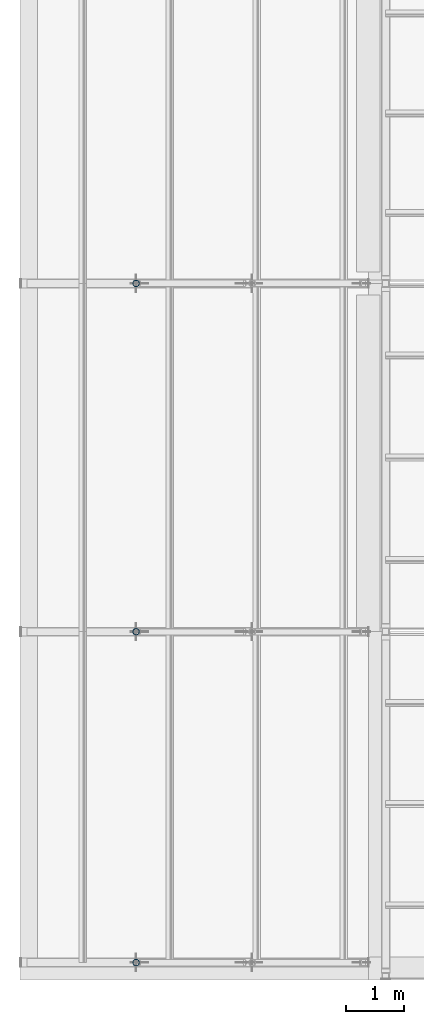
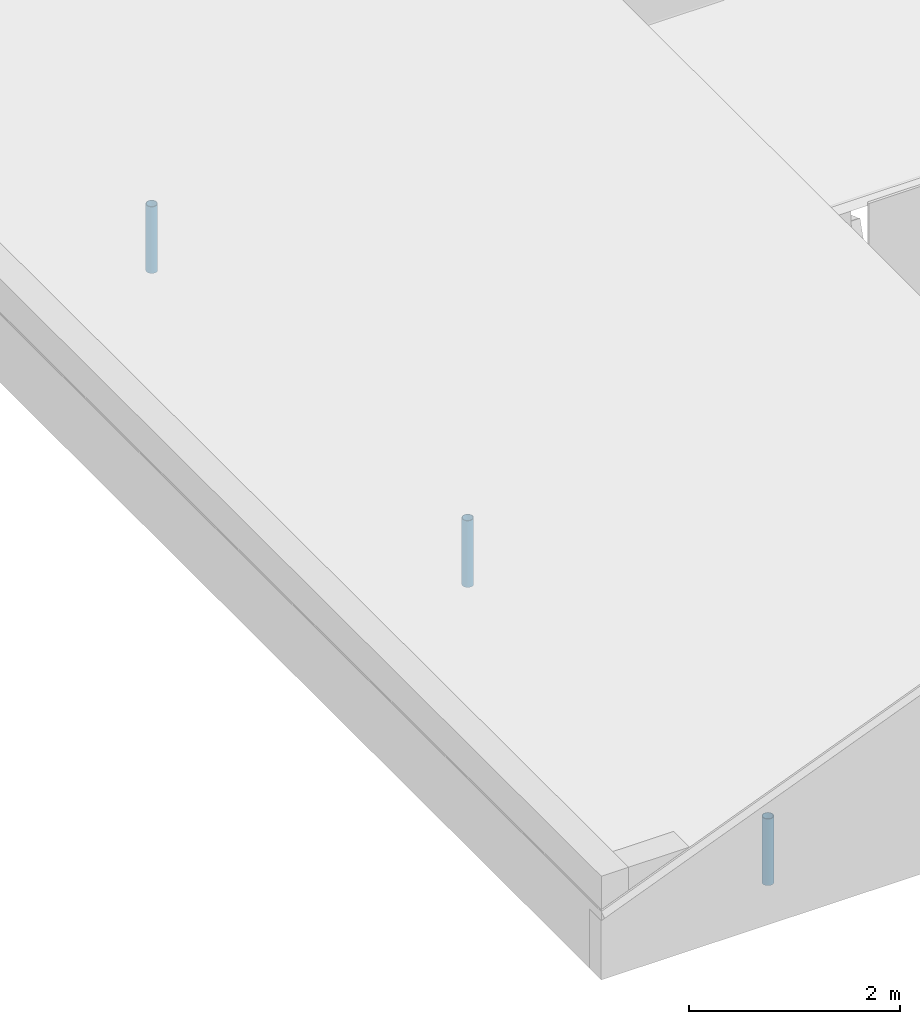
# One storey, part 48 of 118: 3 members.
"""IFC4 building model written with IfcOpenShell, lengths in metres."""

from ifc_helpers import new_model, si_unit, direction, frame, origin, origin_2d, place, context, subcontext, project, spatial, hollow_circle, extrude, material, material_profile, profile_set, type_object, element, save


model = new_model("IFC4")

# Units and contexts
model_context = context("Model", 3, precision=1e-05, world=origin(), true_north=direction((0.0, 1.0)))
body_context = subcontext(model_context, "Body", "Model", "MODEL_VIEW")
ifc_project = project(units=[si_unit("LENGTHUNIT", "METRE"), si_unit("AREAUNIT", "SQUARE_METRE"), si_unit("VOLUMEUNIT", "CUBIC_METRE"), si_unit("PLANEANGLEUNIT", "RADIAN"), si_unit("MASSUNIT", "GRAM", prefix="KILO")], contexts=[model_context])

# Site, building, storey
site_placement = place(None, origin())
site = spatial("IfcSite", under=ifc_project, at=site_placement, CompositionType="ELEMENT")
building_placement = place(site_placement, origin())
building = spatial("IfcBuilding", under=site, at=building_placement, Name="Saffron Lane Theatres", CompositionType="ELEMENT")
storey_placement = place(building_placement, frame((0.0, 0.0, 16.5)))
storey = spatial("IfcBuildingStorey", under=building, at=storey_placement, Name="L03", CompositionType="ELEMENT", Elevation=16.5)

# Members
ifc_material = material(Name="Steel Grade 350", Category="steel")
ifc_material_profile = material_profile(ifc_material, hollow_circle(Radius=0.05712890625, WallThickness=0.006103515625, at=origin_2d()))
ifc_profile_set = profile_set([ifc_material_profile], Name="Steel Grade 350")
member_type = type_object("IfcMemberType", Name="ST-STUDIO TRUSS WEB 114.3x6.0 CHS", PredefinedType="BRACE", material=ifc_profile_set)
for number, where, z_axis, x_axis, name in (
    (1, (2.0, 0.300048828125, 0.25), (0.0, 0.0, 1.0), (1.0, 0.0, 0.0), "GWW4"),
    (2, (2.0, 6.0, 0.25), (0.0, 0.0, 1.0), (1.0, 0.0, 0.0), "GWW11"),
    (3, (2.0, 12.0, 0.25), (0.0, 0.0, 1.0), (1.0, 0.0, 0.0), "GWW18"),
):
    element("IfcMember", number, at=place(storey_placement, frame(where, z_axis=z_axis, x_axis=x_axis)), inside=storey, type_object=member_type, Name=name, PredefinedType="BRACE", context=body_context, shape_type="SweptSolid", body=[
        extrude(hollow_circle(Radius=0.05712890625, WallThickness=0.006103515625, at=origin_2d()), origin(), (0.0, 0.0, 1.0), 0.772216796875),
    ])

save(model, "model.ifc")
